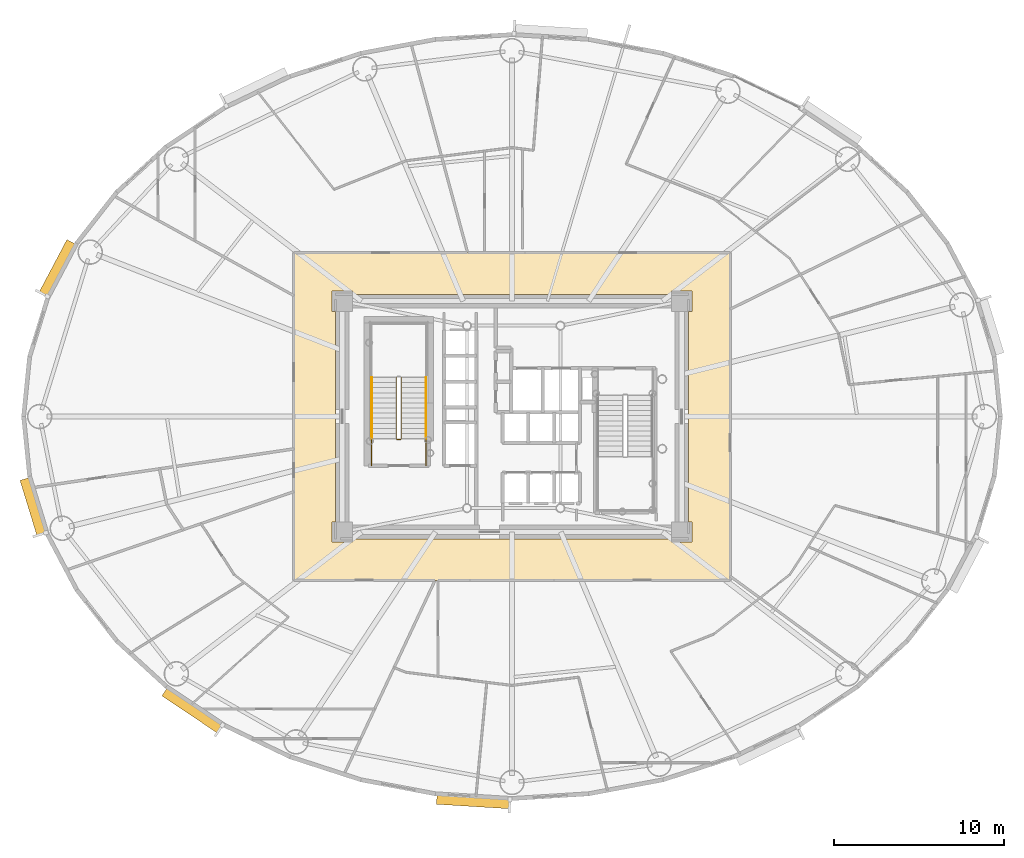
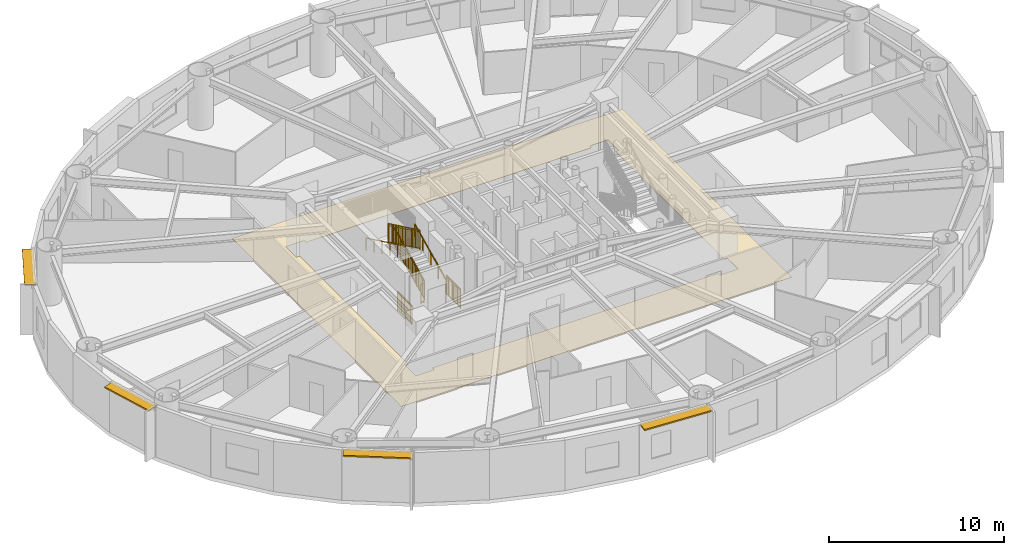
# One storey, part 12 of 16: 7 railings, 4 shading devices, 1 covering.
"""IFC4 building model written with IfcOpenShell, lengths in metres."""

from ifc_helpers import new_model, si_unit, direction, frame, origin, origin_2d, place, context, subcontext, project, spatial, polyline, rectangle, outline, extrude, source, transform, mapped, material, layer, layer_set, type_object, element, save


model = new_model("IFC4")

# Units and contexts
model_context = context("Model", 3, precision=1e-05, world=origin(), true_north=direction((0.0, 1.0)))
body_context = subcontext(model_context, "Body", "Model", "MODEL_VIEW")
ifc_project = project(units=[si_unit("LENGTHUNIT", "METRE"), si_unit("AREAUNIT", "SQUARE_METRE"), si_unit("VOLUMEUNIT", "CUBIC_METRE"), si_unit("PLANEANGLEUNIT", "RADIAN"), si_unit("MASSUNIT", "GRAM", prefix="KILO")], contexts=[model_context])

# Site, building, storey
site_placement = place(None, origin())
site = spatial("IfcSite", under=ifc_project, at=site_placement, CompositionType="ELEMENT")
building_placement = place(site_placement, origin())
building = spatial("IfcBuilding", under=site, at=building_placement, Name="Linh Dai School and Residence Tower", CompositionType="ELEMENT")
storey_placement = place(building_placement, frame((0.0, 0.0, 138.449951171875)))
storey = spatial("IfcBuildingStorey", under=building, at=storey_placement, Name="L33", CompositionType="ELEMENT", Elevation=138.449951171875)

# Covering
ifc_material_1 = material(Name="Polished Terrazzo Floor Finish", Category="masonry")
ifc_layer_1 = layer(ifc_material_1, 0.02490234375)
ifc_layer_set_1 = layer_set([ifc_layer_1], Name="Polished Terrazzo Floor Finish")
covering_type = type_object("IfcCoveringType", Name="COV-FLR-TRZ-25", PredefinedType="FLOORING", material=ifc_layer_set_1)
covering_placement = place(storey_placement, origin())
element("IfcCovering", 1, at=covering_placement, inside=storey, type_object=covering_type, Name="L33 Residential Floor Corridor Floor Finish", PredefinedType="FLOORING", context=body_context, shape_type="SweptSolid", body=[
    extrude(outline(polyline([(48.85009765625, 36.64990234375), (48.85009765625, 17.35009765625), (23.14990234375, 17.35009765625), (23.14990234375, 36.64990234375), (48.85009765625, 36.64990234375)]), holes=[polyline([(26.60009765625, 34.199951171875), (26.60009765625, 34.39990234375), (25.39990234375, 34.39990234375), (25.39990234375, 33.199951171875), (25.60009765625, 33.199951171875), (25.60009765625, 20.800048828125), (25.39990234375, 20.800048828125), (25.39990234375, 19.60009765625), (26.60009765625, 19.60009765625), (26.60009765625, 19.800048828125), (45.39990234375, 19.800048828125), (45.39990234375, 19.60009765625), (46.60009765625, 19.60009765625), (46.60009765625, 20.800048828125), (46.39990234375, 20.800048828125), (46.39990234375, 33.199951171875), (46.60009765625, 33.199951171875), (46.60009765625, 34.39990234375), (45.39990234375, 34.39990234375), (45.39990234375, 34.199951171875), (26.60009765625, 34.199951171875)])]), origin(), (0.0, 0.0, 1.0), 0.02001953125),
])

# Shading devices
ifc_material_2 = material(Name="Terracotta Ceramic Sunshade", Category="masonry")
ifc_layer_2 = layer(ifc_material_2, 0.10009765625)
ifc_layer_set_2 = layer_set([ifc_layer_2], Name="Terracotta Ceramic Sunshade")
shading_device_type = type_object("IfcShadingDeviceType", Name="SHD-TC-650", PredefinedType="USERDEFINED", material=ifc_layer_set_2)
shared_shape_1 = source(origin(), body_context, "Body", "SweptSolid", [
    extrude(rectangle(XDim=3.44384765625, YDim=0.64990234375, at=origin_2d()), origin(), (0.0, 0.0, 1.0), 0.10009765625),
])
shading_device_1_placement = place(storey_placement, frame((7.83154296875, 21.686279296875, 3.3798828125), z_axis=(0.0, 0.0, 1.0), x_axis=(-0.293133528962, 0.956071511028, 0.0)))
element("IfcShadingDevice", 2, at=shading_device_1_placement, inside=storey, type_object=shading_device_type, Name="L33 Terracotta Horizontal Sunshade Band 22", ObjectType="SUNSHADE", PredefinedType="USERDEFINED", context=body_context, shape_type="MappedRepresentation", body=[
    mapped(shared_shape_1, transform((0.0, 0.0, 0.0), x_axis=(1.0, 0.0, 0.0), y_axis=(0.0, 1.0, 0.0), z_axis=(0.0, 0.0, 1.0), scale=1.0)),
])
shared_shape_2 = source(origin(), body_context, "Body", "SweptSolid", [
    extrude(rectangle(XDim=3.96484375, YDim=0.64990234375, at=origin_2d()), origin(), (0.0, 0.0, 1.0), 0.10009765625),
])
shading_device_2_placement = place(storey_placement, frame((17.19970703125, 9.711669921875, 3.3798828125), z_axis=(0.0, 0.0, 1.0), x_axis=(-0.831240347736, 0.555913198527, 0.0)))
element("IfcShadingDevice", 3, at=shading_device_2_placement, inside=storey, type_object=shading_device_type, Name="L33 Terracotta Horizontal Sunshade Band 26", ObjectType="SUNSHADE", PredefinedType="USERDEFINED", context=body_context, shape_type="MappedRepresentation", body=[
    mapped(shared_shape_2, transform((0.0, 0.0, 0.0), x_axis=(1.0, 0.0, 0.0), y_axis=(0.0, 1.0, 0.0), z_axis=(0.0, 0.0, 1.0), scale=1.0)),
])
shared_shape_3 = source(origin(), body_context, "Body", "SweptSolid", [
    extrude(rectangle(XDim=4.33349609375, YDim=0.64990234375, at=origin_2d()), origin(), (0.0, 0.0, 1.0), 0.10009765625),
])
shading_device_3_placement = place(storey_placement, frame((33.729736328125, 4.349365234375, 3.3798828125), z_axis=(0.0, 0.0, 1.0), x_axis=(-0.998106513123, 0.061509255091, 0.0)))
element("IfcShadingDevice", 4, at=shading_device_3_placement, inside=storey, type_object=shading_device_type, Name="L33 Terracotta Horizontal Sunshade Band 30", ObjectType="SUNSHADE", PredefinedType="USERDEFINED", context=body_context, shape_type="MappedRepresentation", body=[
    mapped(shared_shape_3, transform((0.0, 0.0, 0.0), x_axis=(1.0, 0.0, 0.0), y_axis=(0.0, 1.0, 0.0), z_axis=(0.0, 0.0, 1.0), scale=1.0)),
])
shared_shape_4 = source(origin(), body_context, "Body", "SweptSolid", [
    extrude(rectangle(XDim=3.541015625, YDim=0.64990234375, at=origin_2d()), origin(), (0.0, 0.0, 1.0), 0.10009765625),
])
shading_device_4_placement = place(storey_placement, frame((9.240478515625, 35.708740234375, 3.3798828125), z_axis=(0.0, 0.0, 1.0), x_axis=(0.467596217252, 0.883942180016, 0.0)))
element("IfcShadingDevice", 5, at=shading_device_4_placement, inside=storey, type_object=shading_device_type, Name="L33 Terracotta Horizontal Sunshade Band 18", ObjectType="SUNSHADE", PredefinedType="USERDEFINED", context=body_context, shape_type="MappedRepresentation", body=[
    mapped(shared_shape_4, transform((0.0, 0.0, 0.0), x_axis=(1.0, 0.0, 0.0), y_axis=(0.0, 1.0, 0.0), z_axis=(0.0, 0.0, 1.0), scale=1.0)),
])

# Railings
ifc_material_3 = material(Name="Structural Steel S355JR", Category="steel")
railing_type_1 = type_object("IfcRailingType", Name="RL-ST-GUARD-1400", PredefinedType="GUARDRAIL", material=ifc_material_3)
shared_shape_5 = source(origin(), body_context, "Body", "SweptSolid", [
    extrude(rectangle(XDim=0.048095703125, YDim=0.048095703125, at=origin_2d()), frame((0.0, 0.0, 1.3759765625), z_axis=(-1.0, 0.0, 0.0), x_axis=(0.0, -1.0, 0.0)), (0.0, 0.0, 1.0), 0.199951171875),
    extrude(rectangle(XDim=0.048095703125, YDim=0.048095703125, at=origin_2d()), frame((0.0, 0.0, 0.10009765625), z_axis=(-1.0, 0.0, 0.0), x_axis=(0.0, -1.0, 0.0)), (0.0, 0.0, 1.0), 0.199951171875),
    extrude(rectangle(XDim=0.030029296875, YDim=0.030029296875, at=origin_2d()), frame((0.0, 0.0, 1.239990234375), z_axis=(-1.0, 0.0, 0.0), x_axis=(0.0, -1.0, 0.0)), (0.0, 0.0, 1.0), 0.199951171875),
    extrude(rectangle(XDim=0.0419921875, YDim=0.0419921875, at=origin_2d()), origin(), (0.0, 0.0, 1.0), 1.3759765625),
    extrude(rectangle(XDim=0.0419921875, YDim=0.0419921875, at=origin_2d()), frame((-0.199951171875, 0.0, 0.0)), (0.0, 0.0, 1.0), 1.3759765625),
])
railing_1_placement = place(storey_placement, frame((29.429931640625, 25.64990234375, 0.0)))
element("IfcRailing", 6, at=railing_1_placement, inside=storey, type_object=railing_type_1, Name="L33 ST1 stair guard 7", PredefinedType="GUARDRAIL", context=body_context, shape_type="MappedRepresentation", body=[
    mapped(shared_shape_5, transform((0.0, 0.0, 0.0), x_axis=(1.0, 0.0, 0.0), y_axis=(0.0, 1.0, 0.0), z_axis=(0.0, 0.0, 1.0), scale=1.0)),
])
shared_shape_6 = source(origin(), body_context, "Body", "SweptSolid", [
    extrude(rectangle(XDim=0.048095703125, YDim=0.048095703125, at=origin_2d()), frame((0.0, 0.0, 1.3759765625), z_axis=(0.0, 1.0, 0.0), x_axis=(-1.0, 0.0, 0.0)), (0.0, 0.0, 1.0), 1.599853515625),
    extrude(rectangle(XDim=0.048095703125, YDim=0.048095703125, at=origin_2d()), frame((0.0, 0.0, 0.10009765625), z_axis=(0.0, 1.0, 0.0), x_axis=(-1.0, 0.0, 0.0)), (0.0, 0.0, 1.0), 1.599853515625),
    extrude(rectangle(XDim=0.030029296875, YDim=0.030029296875, at=origin_2d()), frame((0.0, 0.0, 1.239990234375), z_axis=(0.0, 1.0, 0.0), x_axis=(-1.0, 0.0, 0.0)), (0.0, 0.0, 1.0), 1.599853515625),
    extrude(rectangle(XDim=0.02001953125, YDim=0.02001953125, at=origin_2d()), frame((0.0, 0.093994140625, 0.10009765625)), (0.0, 0.0, 1.0), 1.251708984375),
    extrude(rectangle(XDim=0.02001953125, YDim=0.02001953125, at=origin_2d()), frame((0.0, 0.188232421875, 0.10009765625)), (0.0, 0.0, 1.0), 1.251708984375),
    extrude(rectangle(XDim=0.02001953125, YDim=0.02001953125, at=origin_2d()), frame((0.0, 0.2822265625, 0.10009765625)), (0.0, 0.0, 1.0), 1.251708984375),
    extrude(rectangle(XDim=0.02001953125, YDim=0.02001953125, at=origin_2d()), frame((0.0, 0.37646484375, 0.10009765625)), (0.0, 0.0, 1.0), 1.251708984375),
    extrude(rectangle(XDim=0.02001953125, YDim=0.02001953125, at=origin_2d()), frame((0.0, 0.470458984375, 0.10009765625)), (0.0, 0.0, 1.0), 1.251708984375),
    extrude(rectangle(XDim=0.02001953125, YDim=0.02001953125, at=origin_2d()), frame((0.0, 0.564697265625, 0.10009765625)), (0.0, 0.0, 1.0), 1.251708984375),
    extrude(rectangle(XDim=0.02001953125, YDim=0.02001953125, at=origin_2d()), frame((0.0, 0.65869140625, 0.10009765625)), (0.0, 0.0, 1.0), 1.251708984375),
    extrude(rectangle(XDim=0.02001953125, YDim=0.02001953125, at=origin_2d()), frame((0.0, 0.7529296875, 0.10009765625)), (0.0, 0.0, 1.0), 1.251708984375),
    extrude(rectangle(XDim=0.02001953125, YDim=0.02001953125, at=origin_2d()), frame((0.0, 0.846923828125, 0.10009765625)), (0.0, 0.0, 1.0), 1.251708984375),
    extrude(rectangle(XDim=0.02001953125, YDim=0.02001953125, at=origin_2d()), frame((0.0, 0.941162109375, 0.10009765625)), (0.0, 0.0, 1.0), 1.251708984375),
    extrude(rectangle(XDim=0.02001953125, YDim=0.02001953125, at=origin_2d()), frame((0.0, 1.03515625, 0.10009765625)), (0.0, 0.0, 1.0), 1.251708984375),
    extrude(rectangle(XDim=0.02001953125, YDim=0.02001953125, at=origin_2d()), frame((0.0, 1.12939453125, 0.10009765625)), (0.0, 0.0, 1.0), 1.251708984375),
    extrude(rectangle(XDim=0.02001953125, YDim=0.02001953125, at=origin_2d()), frame((0.0, 1.223388671875, 0.10009765625)), (0.0, 0.0, 1.0), 1.251708984375),
    extrude(rectangle(XDim=0.02001953125, YDim=0.02001953125, at=origin_2d()), frame((0.0, 1.317626953125, 0.10009765625)), (0.0, 0.0, 1.0), 1.251708984375),
    extrude(rectangle(XDim=0.02001953125, YDim=0.02001953125, at=origin_2d()), frame((0.0, 1.41162109375, 0.10009765625)), (0.0, 0.0, 1.0), 1.251708984375),
    extrude(rectangle(XDim=0.02001953125, YDim=0.02001953125, at=origin_2d()), frame((0.0, 1.505859375, 0.10009765625)), (0.0, 0.0, 1.0), 1.251708984375),
    extrude(rectangle(XDim=0.0419921875, YDim=0.0419921875, at=origin_2d()), origin(), (0.0, 0.0, 1.0), 1.3759765625),
    extrude(rectangle(XDim=0.0419921875, YDim=0.0419921875, at=origin_2d()), frame((0.0, 0.7998046875, 0.0)), (0.0, 0.0, 1.0), 1.3759765625),
    extrude(rectangle(XDim=0.0419921875, YDim=0.0419921875, at=origin_2d()), frame((0.0, 1.599853515625, 0.0)), (0.0, 0.0, 1.0), 1.3759765625),
])
for number, where, name in (
    (7, (30.929931640625, 24.10009765625, 0.0), "L33 ST1 stair guard 8"),
    (8, (27.72998046875, 24.10009765625, 0.0), "L33 ST1 stair guard 9"),
):
    element("IfcRailing", number, at=place(storey_placement, frame(where)), inside=storey, type_object=railing_type_1, Name=name, PredefinedType="GUARDRAIL", context=body_context, shape_type="MappedRepresentation", body=[
        mapped(shared_shape_6, transform((0.0, 0.0, 0.0), x_axis=(1.0, 0.0, 0.0), y_axis=(0.0, 1.0, 0.0), z_axis=(0.0, 0.0, 1.0), scale=1.0)),
    ])
shared_shape_7 = source(origin(), body_context, "Body", "SweptSolid", [
    extrude(rectangle(XDim=0.048095703125, YDim=0.048095703125, at=origin_2d()), frame((0.0, 0.0, 1.3759765625), z_axis=(0.0, 0.901262522062, 0.433273431364), x_axis=(-1.0, 0.0, 0.0)), (0.0, 0.0, 1.0), 3.994384765625),
    extrude(rectangle(XDim=0.048095703125, YDim=0.048095703125, at=origin_2d()), frame((0.0, 0.0, 0.10009765625), z_axis=(0.0, 0.901262522062, 0.433273431364), x_axis=(-1.0, 0.0, 0.0)), (0.0, 0.0, 1.0), 3.994384765625),
    extrude(rectangle(XDim=0.030029296875, YDim=0.030029296875, at=origin_2d()), frame((0.0, 0.0, 1.239990234375), z_axis=(0.0, 0.901262522062, 0.433273431364), x_axis=(-1.0, 0.0, 0.0)), (0.0, 0.0, 1.0), 3.994384765625),
    extrude(rectangle(XDim=0.02001953125, YDim=0.02001953125, at=origin_2d()), frame((0.0, 0.087890625, 0.142333984375)), (0.0, 0.0, 1.0), 1.251708984375),
    extrude(rectangle(XDim=0.02001953125, YDim=0.02001953125, at=origin_2d()), frame((0.0, 0.175537109375, 0.1845703125)), (0.0, 0.0, 1.0), 1.251708984375),
    extrude(rectangle(XDim=0.02001953125, YDim=0.02001953125, at=origin_2d()), frame((0.0, 0.263427734375, 0.226806640625)), (0.0, 0.0, 1.0), 1.251708984375),
    extrude(rectangle(XDim=0.02001953125, YDim=0.02001953125, at=origin_2d()), frame((0.0, 0.351318359375, 0.26904296875)), (0.0, 0.0, 1.0), 1.251708984375),
    extrude(rectangle(XDim=0.02001953125, YDim=0.02001953125, at=origin_2d()), frame((0.0, 0.43896484375, 0.311279296875)), (0.0, 0.0, 1.0), 1.251708984375),
    extrude(rectangle(XDim=0.02001953125, YDim=0.02001953125, at=origin_2d()), frame((0.0, 0.52685546875, 0.353271484375)), (0.0, 0.0, 1.0), 1.251708984375),
    extrude(rectangle(XDim=0.02001953125, YDim=0.02001953125, at=origin_2d()), frame((0.0, 0.61474609375, 0.3955078125)), (0.0, 0.0, 1.0), 1.251708984375),
    extrude(rectangle(XDim=0.02001953125, YDim=0.02001953125, at=origin_2d()), frame((0.0, 0.702392578125, 0.437744140625)), (0.0, 0.0, 1.0), 1.251708984375),
    extrude(rectangle(XDim=0.02001953125, YDim=0.02001953125, at=origin_2d()), frame((0.0, 0.790283203125, 0.47998046875)), (0.0, 0.0, 1.0), 1.251708984375),
    extrude(rectangle(XDim=0.02001953125, YDim=0.02001953125, at=origin_2d()), frame((0.0, 0.9658203125, 0.564453125)), (0.0, 0.0, 1.0), 1.251708984375),
    extrude(rectangle(XDim=0.02001953125, YDim=0.02001953125, at=origin_2d()), frame((0.0, 1.0537109375, 0.606689453125)), (0.0, 0.0, 1.0), 1.251708984375),
    extrude(rectangle(XDim=0.02001953125, YDim=0.02001953125, at=origin_2d()), frame((0.0, 1.1416015625, 0.64892578125)), (0.0, 0.0, 1.0), 1.251708984375),
    extrude(rectangle(XDim=0.02001953125, YDim=0.02001953125, at=origin_2d()), frame((0.0, 1.229248046875, 0.691162109375)), (0.0, 0.0, 1.0), 1.251708984375),
    extrude(rectangle(XDim=0.02001953125, YDim=0.02001953125, at=origin_2d()), frame((0.0, 1.317138671875, 0.7333984375)), (0.0, 0.0, 1.0), 1.251708984375),
    extrude(rectangle(XDim=0.02001953125, YDim=0.02001953125, at=origin_2d()), frame((0.0, 1.405029296875, 0.775390625)), (0.0, 0.0, 1.0), 1.251708984375),
    extrude(rectangle(XDim=0.02001953125, YDim=0.02001953125, at=origin_2d()), frame((0.0, 1.49267578125, 0.817626953125)), (0.0, 0.0, 1.0), 1.251708984375),
    extrude(rectangle(XDim=0.02001953125, YDim=0.02001953125, at=origin_2d()), frame((0.0, 1.58056640625, 0.85986328125)), (0.0, 0.0, 1.0), 1.251708984375),
    extrude(rectangle(XDim=0.02001953125, YDim=0.02001953125, at=origin_2d()), frame((0.0, 1.66845703125, 0.902099609375)), (0.0, 0.0, 1.0), 1.251708984375),
    extrude(rectangle(XDim=0.02001953125, YDim=0.02001953125, at=origin_2d()), frame((0.0, 1.756103515625, 0.9443359375)), (0.0, 0.0, 1.0), 1.251708984375),
    extrude(rectangle(XDim=0.02001953125, YDim=0.02001953125, at=origin_2d()), frame((0.0, 1.843994140625, 0.986572265625)), (0.0, 0.0, 1.0), 1.251708984375),
    extrude(rectangle(XDim=0.02001953125, YDim=0.02001953125, at=origin_2d()), frame((0.0, 1.931640625, 1.02880859375)), (0.0, 0.0, 1.0), 1.251708984375),
    extrude(rectangle(XDim=0.02001953125, YDim=0.02001953125, at=origin_2d()), frame((0.0, 2.01953125, 1.071044921875)), (0.0, 0.0, 1.0), 1.251708984375),
    extrude(rectangle(XDim=0.02001953125, YDim=0.02001953125, at=origin_2d()), frame((0.0, 2.107421875, 1.11328125)), (0.0, 0.0, 1.0), 1.251708984375),
    extrude(rectangle(XDim=0.02001953125, YDim=0.02001953125, at=origin_2d()), frame((0.0, 2.195068359375, 1.155517578125)), (0.0, 0.0, 1.0), 1.251708984375),
    extrude(rectangle(XDim=0.02001953125, YDim=0.02001953125, at=origin_2d()), frame((0.0, 2.282958984375, 1.197509765625)), (0.0, 0.0, 1.0), 1.251708984375),
    extrude(rectangle(XDim=0.02001953125, YDim=0.02001953125, at=origin_2d()), frame((0.0, 2.370849609375, 1.23974609375)), (0.0, 0.0, 1.0), 1.251708984375),
    extrude(rectangle(XDim=0.02001953125, YDim=0.02001953125, at=origin_2d()), frame((0.0, 2.45849609375, 1.281982421875)), (0.0, 0.0, 1.0), 1.251708984375),
    extrude(rectangle(XDim=0.02001953125, YDim=0.02001953125, at=origin_2d()), frame((0.0, 2.54638671875, 1.32421875)), (0.0, 0.0, 1.0), 1.251708984375),
    extrude(rectangle(XDim=0.02001953125, YDim=0.02001953125, at=origin_2d()), frame((0.0, 2.63427734375, 1.366455078125)), (0.0, 0.0, 1.0), 1.251708984375),
    extrude(rectangle(XDim=0.02001953125, YDim=0.02001953125, at=origin_2d()), frame((0.0, 2.809814453125, 1.450927734375)), (0.0, 0.0, 1.0), 1.251708984375),
    extrude(rectangle(XDim=0.02001953125, YDim=0.02001953125, at=origin_2d()), frame((0.0, 2.897705078125, 1.4931640625)), (0.0, 0.0, 1.0), 1.251708984375),
    extrude(rectangle(XDim=0.02001953125, YDim=0.02001953125, at=origin_2d()), frame((0.0, 2.9853515625, 1.535400390625)), (0.0, 0.0, 1.0), 1.251708984375),
    extrude(rectangle(XDim=0.02001953125, YDim=0.02001953125, at=origin_2d()), frame((0.0, 3.0732421875, 1.57763671875)), (0.0, 0.0, 1.0), 1.251708984375),
    extrude(rectangle(XDim=0.02001953125, YDim=0.02001953125, at=origin_2d()), frame((0.0, 3.1611328125, 1.61962890625)), (0.0, 0.0, 1.0), 1.251708984375),
    extrude(rectangle(XDim=0.02001953125, YDim=0.02001953125, at=origin_2d()), frame((0.0, 3.248779296875, 1.661865234375)), (0.0, 0.0, 1.0), 1.251708984375),
    extrude(rectangle(XDim=0.02001953125, YDim=0.02001953125, at=origin_2d()), frame((0.0, 3.336669921875, 1.7041015625)), (0.0, 0.0, 1.0), 1.251708984375),
    extrude(rectangle(XDim=0.02001953125, YDim=0.02001953125, at=origin_2d()), frame((0.0, 3.424560546875, 1.746337890625)), (0.0, 0.0, 1.0), 1.251708984375),
    extrude(rectangle(XDim=0.02001953125, YDim=0.02001953125, at=origin_2d()), frame((0.0, 3.51220703125, 1.78857421875)), (0.0, 0.0, 1.0), 1.251708984375),
    extrude(rectangle(XDim=0.0419921875, YDim=0.0419921875, at=origin_2d()), origin(), (0.0, 0.0, 1.0), 1.3759765625),
    extrude(rectangle(XDim=0.0419921875, YDim=0.0419921875, at=origin_2d()), frame((0.0, 0.89990234375, 0.4326171875)), (0.0, 0.0, 1.0), 1.3759765625),
    extrude(rectangle(XDim=0.0419921875, YDim=0.0419921875, at=origin_2d()), frame((0.0, 1.800048828125, 0.865234375)), (0.0, 0.0, 1.0), 1.3759765625),
    extrude(rectangle(XDim=0.0419921875, YDim=0.0419921875, at=origin_2d()), frame((0.0, 2.7001953125, 1.298095703125)), (0.0, 0.0, 1.0), 1.3759765625),
    extrude(rectangle(XDim=0.0419921875, YDim=0.0419921875, at=origin_2d()), frame((0.0, 3.60009765625, 1.730712890625)), (0.0, 0.0, 1.0), 1.3759765625),
])
railing_2_placement = place(storey_placement, frame((29.47998046875, 25.699951171875, 0.144287109375)))
element("IfcRailing", 9, at=railing_2_placement, inside=storey, type_object=railing_type_1, Name="L33 ST1 stair guard 1", PredefinedType="GUARDRAIL", context=body_context, shape_type="MappedRepresentation", body=[
    mapped(shared_shape_7, transform((0.0, 0.0, 0.0), x_axis=(1.0, 0.0, 0.0), y_axis=(0.0, 1.0, 0.0), z_axis=(0.0, 0.0, 1.0), scale=1.0)),
])
shared_shape_8 = source(origin(), body_context, "Body", "SweptSolid", [
    extrude(rectangle(XDim=0.048095703125, YDim=0.048095703125, at=origin_2d()), frame((0.0, 0.0, 1.3759765625), z_axis=(0.0, -0.901262522062, 0.433273431364), x_axis=(1.0, 0.0, 0.0)), (0.0, 0.0, 1.0), 3.994384765625),
    extrude(rectangle(XDim=0.048095703125, YDim=0.048095703125, at=origin_2d()), frame((0.0, 0.0, 0.10009765625), z_axis=(0.0, -0.901262522062, 0.433273431364), x_axis=(1.0, 0.0, 0.0)), (0.0, 0.0, 1.0), 3.994384765625),
    extrude(rectangle(XDim=0.030029296875, YDim=0.030029296875, at=origin_2d()), frame((0.0, 0.0, 1.239990234375), z_axis=(0.0, -0.901262522062, 0.433273431364), x_axis=(1.0, 0.0, 0.0)), (0.0, 0.0, 1.0), 3.994384765625),
    extrude(rectangle(XDim=0.02001953125, YDim=0.02001953125, at=origin_2d()), frame((0.0, -0.087890625, 0.142333984375)), (0.0, 0.0, 1.0), 1.251708984375),
    extrude(rectangle(XDim=0.02001953125, YDim=0.02001953125, at=origin_2d()), frame((0.0, -0.175537109375, 0.1845703125)), (0.0, 0.0, 1.0), 1.251708984375),
    extrude(rectangle(XDim=0.02001953125, YDim=0.02001953125, at=origin_2d()), frame((0.0, -0.263427734375, 0.226806640625)), (0.0, 0.0, 1.0), 1.251708984375),
    extrude(rectangle(XDim=0.02001953125, YDim=0.02001953125, at=origin_2d()), frame((0.0, -0.351318359375, 0.26904296875)), (0.0, 0.0, 1.0), 1.251708984375),
    extrude(rectangle(XDim=0.02001953125, YDim=0.02001953125, at=origin_2d()), frame((0.0, -0.43896484375, 0.311279296875)), (0.0, 0.0, 1.0), 1.251708984375),
    extrude(rectangle(XDim=0.02001953125, YDim=0.02001953125, at=origin_2d()), frame((0.0, -0.52685546875, 0.353271484375)), (0.0, 0.0, 1.0), 1.251708984375),
    extrude(rectangle(XDim=0.02001953125, YDim=0.02001953125, at=origin_2d()), frame((0.0, -0.61474609375, 0.3955078125)), (0.0, 0.0, 1.0), 1.251708984375),
    extrude(rectangle(XDim=0.02001953125, YDim=0.02001953125, at=origin_2d()), frame((0.0, -0.702392578125, 0.437744140625)), (0.0, 0.0, 1.0), 1.251708984375),
    extrude(rectangle(XDim=0.02001953125, YDim=0.02001953125, at=origin_2d()), frame((0.0, -0.790283203125, 0.47998046875)), (0.0, 0.0, 1.0), 1.251708984375),
    extrude(rectangle(XDim=0.02001953125, YDim=0.02001953125, at=origin_2d()), frame((0.0, -0.9658203125, 0.564453125)), (0.0, 0.0, 1.0), 1.251708984375),
    extrude(rectangle(XDim=0.02001953125, YDim=0.02001953125, at=origin_2d()), frame((0.0, -1.0537109375, 0.606689453125)), (0.0, 0.0, 1.0), 1.251708984375),
    extrude(rectangle(XDim=0.02001953125, YDim=0.02001953125, at=origin_2d()), frame((0.0, -1.1416015625, 0.64892578125)), (0.0, 0.0, 1.0), 1.251708984375),
    extrude(rectangle(XDim=0.02001953125, YDim=0.02001953125, at=origin_2d()), frame((0.0, -1.229248046875, 0.691162109375)), (0.0, 0.0, 1.0), 1.251708984375),
    extrude(rectangle(XDim=0.02001953125, YDim=0.02001953125, at=origin_2d()), frame((0.0, -1.317138671875, 0.7333984375)), (0.0, 0.0, 1.0), 1.251708984375),
    extrude(rectangle(XDim=0.02001953125, YDim=0.02001953125, at=origin_2d()), frame((0.0, -1.405029296875, 0.775390625)), (0.0, 0.0, 1.0), 1.251708984375),
    extrude(rectangle(XDim=0.02001953125, YDim=0.02001953125, at=origin_2d()), frame((0.0, -1.49267578125, 0.817626953125)), (0.0, 0.0, 1.0), 1.251708984375),
    extrude(rectangle(XDim=0.02001953125, YDim=0.02001953125, at=origin_2d()), frame((0.0, -1.58056640625, 0.85986328125)), (0.0, 0.0, 1.0), 1.251708984375),
    extrude(rectangle(XDim=0.02001953125, YDim=0.02001953125, at=origin_2d()), frame((0.0, -1.66845703125, 0.902099609375)), (0.0, 0.0, 1.0), 1.251708984375),
    extrude(rectangle(XDim=0.02001953125, YDim=0.02001953125, at=origin_2d()), frame((0.0, -1.756103515625, 0.9443359375)), (0.0, 0.0, 1.0), 1.251708984375),
    extrude(rectangle(XDim=0.02001953125, YDim=0.02001953125, at=origin_2d()), frame((0.0, -1.843994140625, 0.986572265625)), (0.0, 0.0, 1.0), 1.251708984375),
    extrude(rectangle(XDim=0.02001953125, YDim=0.02001953125, at=origin_2d()), frame((0.0, -1.931640625, 1.02880859375)), (0.0, 0.0, 1.0), 1.251708984375),
    extrude(rectangle(XDim=0.02001953125, YDim=0.02001953125, at=origin_2d()), frame((0.0, -2.01953125, 1.071044921875)), (0.0, 0.0, 1.0), 1.251708984375),
    extrude(rectangle(XDim=0.02001953125, YDim=0.02001953125, at=origin_2d()), frame((0.0, -2.107421875, 1.11328125)), (0.0, 0.0, 1.0), 1.251708984375),
    extrude(rectangle(XDim=0.02001953125, YDim=0.02001953125, at=origin_2d()), frame((0.0, -2.195068359375, 1.155517578125)), (0.0, 0.0, 1.0), 1.251708984375),
    extrude(rectangle(XDim=0.02001953125, YDim=0.02001953125, at=origin_2d()), frame((0.0, -2.282958984375, 1.197509765625)), (0.0, 0.0, 1.0), 1.251708984375),
    extrude(rectangle(XDim=0.02001953125, YDim=0.02001953125, at=origin_2d()), frame((0.0, -2.370849609375, 1.23974609375)), (0.0, 0.0, 1.0), 1.251708984375),
    extrude(rectangle(XDim=0.02001953125, YDim=0.02001953125, at=origin_2d()), frame((0.0, -2.45849609375, 1.281982421875)), (0.0, 0.0, 1.0), 1.251708984375),
    extrude(rectangle(XDim=0.02001953125, YDim=0.02001953125, at=origin_2d()), frame((0.0, -2.54638671875, 1.32421875)), (0.0, 0.0, 1.0), 1.251708984375),
    extrude(rectangle(XDim=0.02001953125, YDim=0.02001953125, at=origin_2d()), frame((0.0, -2.63427734375, 1.366455078125)), (0.0, 0.0, 1.0), 1.251708984375),
    extrude(rectangle(XDim=0.02001953125, YDim=0.02001953125, at=origin_2d()), frame((0.0, -2.809814453125, 1.450927734375)), (0.0, 0.0, 1.0), 1.251708984375),
    extrude(rectangle(XDim=0.02001953125, YDim=0.02001953125, at=origin_2d()), frame((0.0, -2.897705078125, 1.4931640625)), (0.0, 0.0, 1.0), 1.251708984375),
    extrude(rectangle(XDim=0.02001953125, YDim=0.02001953125, at=origin_2d()), frame((0.0, -2.9853515625, 1.535400390625)), (0.0, 0.0, 1.0), 1.251708984375),
    extrude(rectangle(XDim=0.02001953125, YDim=0.02001953125, at=origin_2d()), frame((0.0, -3.0732421875, 1.57763671875)), (0.0, 0.0, 1.0), 1.251708984375),
    extrude(rectangle(XDim=0.02001953125, YDim=0.02001953125, at=origin_2d()), frame((0.0, -3.1611328125, 1.61962890625)), (0.0, 0.0, 1.0), 1.251708984375),
    extrude(rectangle(XDim=0.02001953125, YDim=0.02001953125, at=origin_2d()), frame((0.0, -3.248779296875, 1.661865234375)), (0.0, 0.0, 1.0), 1.251708984375),
    extrude(rectangle(XDim=0.02001953125, YDim=0.02001953125, at=origin_2d()), frame((0.0, -3.336669921875, 1.7041015625)), (0.0, 0.0, 1.0), 1.251708984375),
    extrude(rectangle(XDim=0.02001953125, YDim=0.02001953125, at=origin_2d()), frame((0.0, -3.424560546875, 1.746337890625)), (0.0, 0.0, 1.0), 1.251708984375),
    extrude(rectangle(XDim=0.02001953125, YDim=0.02001953125, at=origin_2d()), frame((0.0, -3.51220703125, 1.78857421875)), (0.0, 0.0, 1.0), 1.251708984375),
    extrude(rectangle(XDim=0.0419921875, YDim=0.0419921875, at=origin_2d()), origin(), (0.0, 0.0, 1.0), 1.3759765625),
    extrude(rectangle(XDim=0.0419921875, YDim=0.0419921875, at=origin_2d()), frame((0.0, -0.89990234375, 0.4326171875)), (0.0, 0.0, 1.0), 1.3759765625),
    extrude(rectangle(XDim=0.0419921875, YDim=0.0419921875, at=origin_2d()), frame((0.0, -1.800048828125, 0.865234375)), (0.0, 0.0, 1.0), 1.3759765625),
    extrude(rectangle(XDim=0.0419921875, YDim=0.0419921875, at=origin_2d()), frame((0.0, -2.7001953125, 1.298095703125)), (0.0, 0.0, 1.0), 1.3759765625),
    extrude(rectangle(XDim=0.0419921875, YDim=0.0419921875, at=origin_2d()), frame((0.0, -3.60009765625, 1.730712890625)), (0.0, 0.0, 1.0), 1.3759765625),
])
railing_3_placement = place(storey_placement, frame((29.179931640625, 29.300048828125, 2.019287109375)))
element("IfcRailing", 10, at=railing_3_placement, inside=storey, type_object=railing_type_1, Name="L33 ST1 stair guard 6", PredefinedType="GUARDRAIL", context=body_context, shape_type="MappedRepresentation", body=[
    mapped(shared_shape_8, transform((0.0, 0.0, 0.0), x_axis=(1.0, 0.0, 0.0), y_axis=(0.0, 1.0, 0.0), z_axis=(0.0, 0.0, 1.0), scale=1.0)),
])
ifc_material_4 = material(Name="Brushed Stainless Steel Handrail", Category="steel")
railing_type_2 = type_object("IfcRailingType", Name="RL-ST-HANDRAIL-900", PredefinedType="HANDRAIL", material=ifc_material_4)
shared_shape_9 = source(origin(), body_context, "Body", "SweptSolid", [
    extrude(rectangle(XDim=0.048095703125, YDim=0.048095703125, at=origin_2d()), frame((0.0, 0.0, 0.8759765625), z_axis=(0.0, 0.901262522062, 0.433273431364), x_axis=(-1.0, 0.0, 0.0)), (0.0, 0.0, 1.0), 3.994384765625),
    extrude(rectangle(XDim=0.0419921875, YDim=0.0419921875, at=origin_2d()), origin(), (0.0, 0.0, 1.0), 0.8759765625),
    extrude(rectangle(XDim=0.0419921875, YDim=0.0419921875, at=origin_2d()), frame((0.0, 0.89990234375, 0.4326171875)), (0.0, 0.0, 1.0), 0.8759765625),
    extrude(rectangle(XDim=0.0419921875, YDim=0.0419921875, at=origin_2d()), frame((0.0, 1.800048828125, 0.865234375)), (0.0, 0.0, 1.0), 0.8759765625),
    extrude(rectangle(XDim=0.0419921875, YDim=0.0419921875, at=origin_2d()), frame((0.0, 2.7001953125, 1.298095703125)), (0.0, 0.0, 1.0), 0.8759765625),
    extrude(rectangle(XDim=0.0419921875, YDim=0.0419921875, at=origin_2d()), frame((0.0, 3.60009765625, 1.730712890625)), (0.0, 0.0, 1.0), 0.8759765625),
])
railing_4_placement = place(storey_placement, frame((30.929931640625, 25.699951171875, 0.144287109375)))
element("IfcRailing", 11, at=railing_4_placement, inside=storey, type_object=railing_type_2, Name="L33 ST1 stair handrail 1", PredefinedType="HANDRAIL", context=body_context, shape_type="MappedRepresentation", body=[
    mapped(shared_shape_9, transform((0.0, 0.0, 0.0), x_axis=(1.0, 0.0, 0.0), y_axis=(0.0, 1.0, 0.0), z_axis=(0.0, 0.0, 1.0), scale=1.0)),
])
shared_shape_10 = source(origin(), body_context, "Body", "SweptSolid", [
    extrude(rectangle(XDim=0.048095703125, YDim=0.048095703125, at=origin_2d()), frame((0.0, 0.0, 0.8759765625), z_axis=(0.0, -0.901262522062, 0.433273431364), x_axis=(1.0, 0.0, 0.0)), (0.0, 0.0, 1.0), 3.994384765625),
    extrude(rectangle(XDim=0.0419921875, YDim=0.0419921875, at=origin_2d()), origin(), (0.0, 0.0, 1.0), 0.8759765625),
    extrude(rectangle(XDim=0.0419921875, YDim=0.0419921875, at=origin_2d()), frame((0.0, -0.89990234375, 0.4326171875)), (0.0, 0.0, 1.0), 0.8759765625),
    extrude(rectangle(XDim=0.0419921875, YDim=0.0419921875, at=origin_2d()), frame((0.0, -1.800048828125, 0.865234375)), (0.0, 0.0, 1.0), 0.8759765625),
    extrude(rectangle(XDim=0.0419921875, YDim=0.0419921875, at=origin_2d()), frame((0.0, -2.7001953125, 1.298095703125)), (0.0, 0.0, 1.0), 0.8759765625),
    extrude(rectangle(XDim=0.0419921875, YDim=0.0419921875, at=origin_2d()), frame((0.0, -3.60009765625, 1.730712890625)), (0.0, 0.0, 1.0), 0.8759765625),
])
railing_5_placement = place(storey_placement, frame((27.72998046875, 29.300048828125, 2.019287109375)))
element("IfcRailing", 12, at=railing_5_placement, inside=storey, type_object=railing_type_2, Name="L33 ST1 stair handrail 2", PredefinedType="HANDRAIL", context=body_context, shape_type="MappedRepresentation", body=[
    mapped(shared_shape_10, transform((0.0, 0.0, 0.0), x_axis=(1.0, 0.0, 0.0), y_axis=(0.0, 1.0, 0.0), z_axis=(0.0, 0.0, 1.0), scale=1.0)),
])

save(model, "model.ifc")
